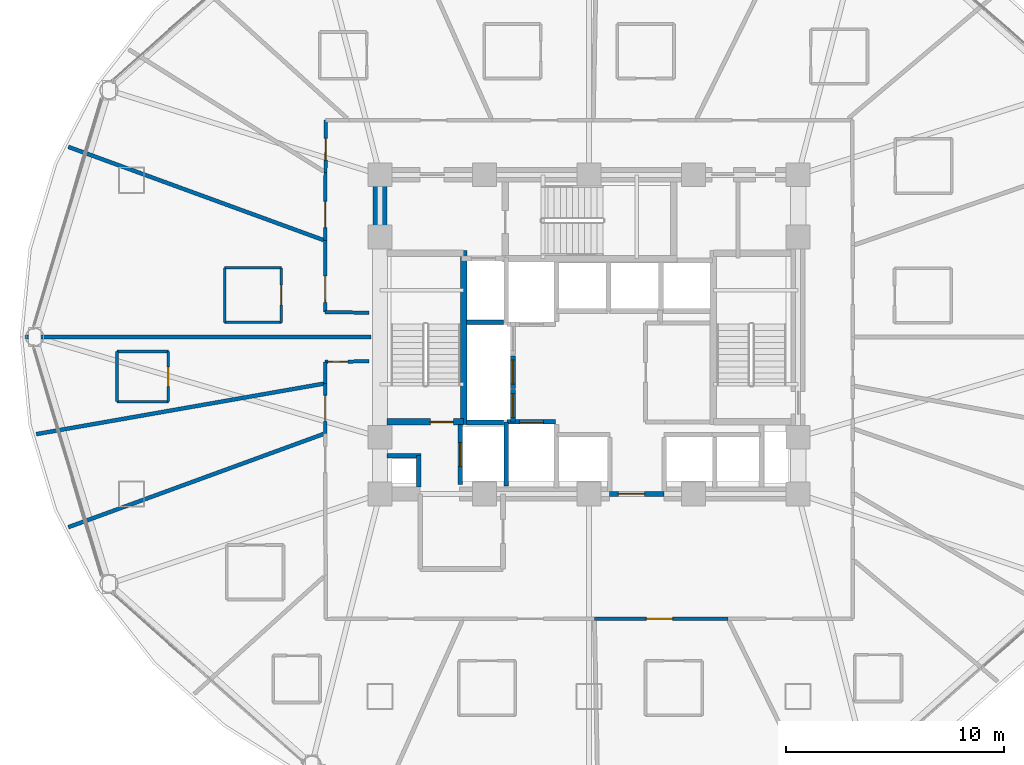
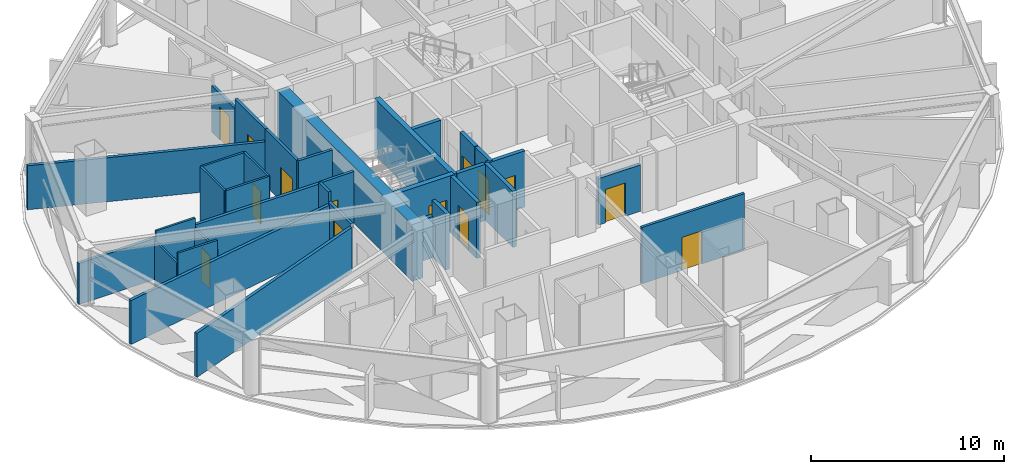
# One storey, part 24 of 31: 33 walls, 14 doors, 14 openings.
"""IFC4 building model written with IfcOpenShell, lengths in metres."""

import ifcopenshell
import ifcopenshell.guid

model = None  # the IFC model being written
_history = None  # IfcOwnerHistory: only IFC2X3 demands one
_inside = {}  # id of a spatial element -> (the spatial element, [elements in it])
_under = {}  # id of a project, library or spatial element -> (it, [spatial elements below it])
_declared = {}  # id of a project -> (the project, [libraries it declares])
_typed = {}  # id of a type object -> (the type object, [elements of that type])
_made_of = {}  # id of a material, layer set ... -> (it, [elements and type objects made of it])


def new_model(schema):
    """Start an empty IFC model of exactly this schema.

    Asked for "IFC4X3", IfcOpenShell would pick the latest addendum, in which some entities
    have other attributes; the version numbers below select the first issue.
    IFC2X3 requires an IfcOwnerHistory on every rooted entity: one is made here for all.
    """
    global model, _history
    if schema == "IFC4X3":
        model = ifcopenshell.file(schema_version=(4, 3, 0, 0))
    else:
        model = ifcopenshell.file(schema=schema)
    _inside.clear()
    _under.clear()
    _declared.clear()
    _typed.clear()
    _made_of.clear()
    _history = None
    if model.schema == "IFC2X3":
        org = make("IfcOrganization", Name="unknown")
        user = make(
            "IfcPersonAndOrganization",
            ThePerson=make("IfcPerson", FamilyName="unknown"),
            TheOrganization=org,
        )
        app = make(
            "IfcApplication",
            ApplicationDeveloper=org,
            Version="unknown",
            ApplicationFullName="unknown",
            ApplicationIdentifier="unknown",
        )
        _history = make(
            "IfcOwnerHistory",
            OwningUser=user,
            OwningApplication=app,
            ChangeAction="ADDED",
            CreationDate=0,
        )
    return model


def make(cls, **values):
    """One entity of the class cls with the attributes given. An attribute that is None is left unset."""
    return model.create_entity(
        cls, **{name: value for name, value in values.items() if value is not None}
    )


def rooted(cls, **values):
    """An entity with a GlobalId (a new one), such as an element, a storey or a relation."""
    return make(cls, GlobalId=ifcopenshell.guid.new(), OwnerHistory=_history, **values)


def si_unit(unit_type, name, prefix=None):
    """IfcSIUnit, for example si_unit("LENGTHUNIT", "METRE", prefix="MILLI")."""
    return make("IfcSIUnit", UnitType=unit_type, Prefix=prefix, Name=name)


def assignment(units):
    """IfcUnitAssignment: the units of a project."""
    return None if units is None else make("IfcUnitAssignment", Units=units)


def point(xyz):
    """IfcCartesianPoint."""
    return None if xyz is None else make("IfcCartesianPoint", Coordinates=xyz)


def direction(xyz):
    """IfcDirection."""
    return None if xyz is None else make("IfcDirection", DirectionRatios=xyz)


def frame(location, z_axis=None, x_axis=None):
    """IfcAxis2Placement3D, a coordinate frame: its origin and axes. An axis left out is left unset."""
    return make(
        "IfcAxis2Placement3D",
        Location=point(location),
        Axis=direction(z_axis),
        RefDirection=direction(x_axis),
    )


def frame_2d(location, x_axis=None):
    """IfcAxis2Placement2D, a coordinate frame in the plane: its origin and x axis."""
    return make(
        "IfcAxis2Placement2D", Location=point(location), RefDirection=direction(x_axis)
    )


def origin():
    """The frame at (0, 0, 0) with its axes left unset."""
    return frame((0.0, 0.0, 0.0))


def place(relative_to, where):
    """IfcLocalPlacement: puts the frame where relative to a parent placement (None: the world)."""
    return make(
        "IfcLocalPlacement", PlacementRelTo=relative_to, RelativePlacement=where
    )


def context(
    kind, dimensions, precision=None, world=None, true_north=None, identifier=None
):
    """IfcGeometricRepresentationContext, for example the 3D "Model" context."""
    return make(
        "IfcGeometricRepresentationContext",
        ContextIdentifier=identifier,
        ContextType=kind,
        CoordinateSpaceDimension=dimensions,
        Precision=precision,
        WorldCoordinateSystem=world,
        TrueNorth=true_north,
    )


def subcontext(parent, identifier, kind, view, scale=None):
    """IfcGeometricRepresentationSubContext, for example "Body" below "Model"."""
    return make(
        "IfcGeometricRepresentationSubContext",
        ContextIdentifier=identifier,
        ContextType=kind,
        ParentContext=parent,
        TargetScale=scale,
        TargetView=view,
    )


def project(units=None, contexts=None):
    """IfcProject with its units and contexts."""
    return rooted(
        "IfcProject",
        Name="project",
        RepresentationContexts=contexts,
        UnitsInContext=assignment(units),
    )


def spatial(cls, under=None, at=None, **own):
    """A site, building, storey or space (cls), placed at a placement, below another one or the project."""
    s = rooted(cls, ObjectPlacement=at, **own)
    if under is not None:
        _under.setdefault(under.id(), (under, []))[1].append(s)
    return s


def profile(cls, at=None, kind="AREA", **sizes):
    """A parametric profile (cls). Its sizes go by their IFC names, for example OverallWidth=200.0."""
    return make(cls, ProfileType=kind, Position=at, **sizes)


def rectangle(**sizes):
    """IfcRectangleProfileDef."""
    return profile("IfcRectangleProfileDef", **sizes)


def extrude(swept, where, along, depth):
    """IfcExtrudedAreaSolid: the profile swept, set in the frame where, extruded along a direction by depth."""
    return make(
        "IfcExtrudedAreaSolid",
        SweptArea=swept,
        Position=where,
        ExtrudedDirection=direction(along),
        Depth=depth,
    )


def shape(context_of_items, identifier, shape_type, items):
    """IfcShapeRepresentation: the items that make up one representation, for example the "Body"."""
    return make(
        "IfcShapeRepresentation",
        ContextOfItems=context_of_items,
        RepresentationIdentifier=identifier,
        RepresentationType=shape_type,
        Items=items,
    )


def material(Name=None, Category=None):
    """IfcMaterial."""
    return make("IfcMaterial", Name=Name, Category=Category)


def layer(
    of_material, thickness, ventilated=None, Name=None, Category=None, Priority=None
):
    """IfcMaterialLayer: one layer of a wall or slab, of a material (None: an air gap)."""
    return make(
        "IfcMaterialLayer",
        Material=of_material,
        LayerThickness=thickness,
        IsVentilated=ventilated,
        Name=Name,
        Category=Category,
        Priority=Priority,
    )


def layer_set(layers, Name=None):
    """IfcMaterialLayerSet."""
    return make("IfcMaterialLayerSet", MaterialLayers=layers, LayerSetName=Name)


def made_of(thing, what):
    """Note that an element or type object is made of a material, layer set ...; save() writes the relation."""
    if what is not None:
        _made_of.setdefault(what.id(), (what, []))[1].append(thing)
    return thing


def type_object(cls, material=None, **own):
    """A type object (cls), such as IfcWallType, which elements share."""
    return made_of(rooted(cls, **own), material)


def element(
    cls,
    number,
    at=None,
    inside=None,
    cuts=None,
    type_object=None,
    material=None,
    context=None,
    identifier="Body",
    shape_type=None,
    held_by="IfcProductDefinitionShape",
    body=None,
    shapes=None,
    **own,
):
    """One element of the class cls, such as IfcWall. Its Tag is "e" and its number.

    at: its placement. inside: the storey or other place that contains it. cuts: it is an
    opening in that element (IfcRelVoidsElement). A single representation is given by context,
    identifier, shape_type and body (its items); several are given by shapes. held_by: the class
    of the entity that holds the representations. save() writes the other relations.
    """
    e = rooted(cls, Tag="e%d" % number, ObjectPlacement=at, **own)
    if body is not None:
        shapes = [shape(context, identifier, shape_type, body)]
    if shapes is not None:
        e.Representation = make(held_by, Representations=shapes)
    if inside is not None:
        _inside.setdefault(inside.id(), (inside, []))[1].append(e)
    if cuts is not None:
        rooted(
            "IfcRelVoidsElement", RelatingBuildingElement=cuts, RelatedOpeningElement=e
        )
    if type_object is not None:
        _typed.setdefault(type_object.id(), (type_object, []))[1].append(e)
    return made_of(e, material)


def fill(opening, filler):
    """IfcRelFillsElement: the door or window that sits in an opening."""
    return rooted(
        "IfcRelFillsElement",
        RelatingOpeningElement=opening,
        RelatedBuildingElement=filler,
    )


def aggregate(whole, parts):
    """IfcRelAggregates: a whole, such as a stair, and the parts it consists of."""
    return rooted("IfcRelAggregates", RelatingObject=whole, RelatedObjects=parts)


def save(model, path):
    """Write the relations noted so far, then the file.

    IfcRelAggregates (storeys below a building ...), IfcRelContainedInSpatialStructure (elements
    in a storey), IfcRelDefinesByType, IfcRelAssociatesMaterial and IfcRelDeclares: one each for
    every whole, place, type object, material and project.
    """
    for whole, parts in _under.values():
        aggregate(whole, parts)
    for where, things in _inside.values():
        rooted(
            "IfcRelContainedInSpatialStructure",
            RelatedElements=things,
            RelatingStructure=where,
        )
    for kind, things in _typed.values():
        rooted("IfcRelDefinesByType", RelatedObjects=things, RelatingType=kind)
    for what, things in _made_of.values():
        rooted("IfcRelAssociatesMaterial", RelatedObjects=things, RelatingMaterial=what)
    for by, libraries in _declared.values():
        rooted("IfcRelDeclares", RelatingContext=by, RelatedDefinitions=libraries)
    model.write(path)


model = new_model("IFC4")

# Units and contexts
model_context = context("Model", 3, precision=1e-05, world=origin(), true_north=direction((0.0, 1.0)))
body_context = subcontext(model_context, "Body", "Model", "MODEL_VIEW")
ifc_project = project(units=[si_unit("LENGTHUNIT", "METRE"), si_unit("AREAUNIT", "SQUARE_METRE"), si_unit("VOLUMEUNIT", "CUBIC_METRE"), si_unit("PLANEANGLEUNIT", "RADIAN"), si_unit("MASSUNIT", "GRAM", prefix="KILO")], contexts=[model_context])

# Site, building, storey
site_placement = place(None, origin())
site = spatial("IfcSite", under=ifc_project, at=site_placement, CompositionType="ELEMENT")
building_placement = place(site_placement, origin())
building = spatial("IfcBuilding", under=site, at=building_placement, Name="Vantalir Tower", CompositionType="ELEMENT")
storey_placement = place(building_placement, frame((0.0, 0.0, 30.75)))
storey = spatial("IfcBuildingStorey", under=building, at=storey_placement, Name="L06", CompositionType="ELEMENT", Elevation=30.75)

# Walls
ifc_material_1 = material(Name="Moisture-resistant en-suite partition", Category="gypsum")
ifc_layer_1 = layer(ifc_material_1, 0.125)
ifc_layer_set_1 = layer_set([ifc_layer_1], Name="Moisture-resistant en-suite partition")
wall_type_1 = type_object("IfcWallType", Name="WL-BATH-125", PredefinedType="PARTITIONING", material=ifc_layer_set_1)
for number, where, z_axis, x_axis, name in (
    (1, (14.77490234375, 25.677978515625, 0.0), (0.0, 0.0, 1.0), (1.0, 0.0, 0.0), "L06 En-suite 09 South Wall"),
    (2, (14.77490234375, 28.177978515625, 0.0), (0.0, 0.0, 1.0), (1.0, 0.0, 0.0), "L06 En-suite 09 North Wall"),
):
    element("IfcWall", number, at=place(storey_placement, frame(where, z_axis=z_axis, x_axis=x_axis)), inside=storey, type_object=wall_type_1, Name=name, PredefinedType="PARTITIONING", context=body_context, shape_type="SweptSolid", body=[
        extrude(rectangle(XDim=2.60009765625, YDim=0.125, at=frame_2d((1.300048828125, 0.0))), origin(), (0.0, 0.0, 1.0), 3.550048828125),
    ])
wall_1_placement = place(storey_placement, frame((14.77490234375, 25.677978515625, 0.0), z_axis=(0.0, 0.0, 1.0), x_axis=(0.0, 1.0, 0.0)))
element("IfcWall", 3, at=wall_1_placement, inside=storey, type_object=wall_type_1, Name="L06 En-suite 09 West Wall", PredefinedType="PARTITIONING", context=body_context, shape_type="SweptSolid", body=[
    extrude(rectangle(XDim=2.5, YDim=0.125, at=frame_2d((1.25, 0.0))), origin(), (0.0, 0.0, 1.0), 3.550048828125),
])

# Wall, opening, door
wall_2_placement = place(storey_placement, frame((17.375, 25.677978515625, 0.0), z_axis=(0.0, 0.0, 1.0), x_axis=(0.0, 1.0, 0.0)))
wall_2 = element("IfcWall", 4, at=wall_2_placement, inside=storey, type_object=wall_type_1, Name="L06 En-suite 09 East Wall", PredefinedType="PARTITIONING", context=body_context, shape_type="SweptSolid", body=[
    extrude(rectangle(XDim=2.5, YDim=0.125, at=frame_2d((1.25, 0.0))), origin(), (0.0, 0.0, 1.0), 3.550048828125),
])
opening_1_placement = place(wall_2_placement, frame((0.800048828125, 0.0, 0.0)))
opening_1 = element("IfcOpeningElement", 5, at=opening_1_placement, cuts=wall_2, Name="Opening D-WC", PredefinedType="OPENING", context=body_context, shape_type="SweptSolid", body=[
    extrude(rectangle(XDim=0.89990234375, YDim=2.10009765625, at=frame_2d((0.449951171875, 1.050048828125))), frame((0.0, 0.072509765625, 0.0), z_axis=(0.0, -1.0, 0.0), x_axis=(1.0, 0.0, 0.0)), (0.0, 0.0, 1.0), 0.14501953125),
])
ifc_material_2 = material(Name="Moisture-resistant hardwood door", Category="wood")
door_type_1 = type_object("IfcDoorType", Name="DR-ENSUITE-900", OperationType="NOTDEFINED", PredefinedType="DOOR", material=ifc_material_2)
door_1_placement = place(opening_1_placement, origin())
door_1 = element("IfcDoor", 6, at=door_1_placement, inside=storey, type_object=door_type_1, Name="L06 En-suite 09 Door", OperationType="SINGLE_SWING_RIGHT", OverallHeight=2.10009765625, OverallWidth=0.89990234375, PredefinedType="DOOR", context=body_context, shape_type="SweptSolid", body=[
    extrude(rectangle(XDim=0.89990234375, YDim=2.10009765625, at=frame_2d((0.449951171875, 1.050048828125))), frame((0.0, 0.02490234375, 0.0), z_axis=(0.0, -1.0, 0.0), x_axis=(1.0, 0.0, 0.0)), (0.0, 0.0, 1.0), 0.050048828125),
])
fill(opening_1, door_1)

# Walls
for number, where, z_axis, x_axis, name in (
    (7, (9.83203125, 22.033935546875, 0.0), (0.0, 0.0, 1.0), (1.0, 0.0, 0.0), "L06 En-suite 10 South Wall"),
    (8, (9.83203125, 24.333984375, 0.0), (0.0, 0.0, 1.0), (1.0, 0.0, 0.0), "L06 En-suite 10 North Wall"),
):
    element("IfcWall", number, at=place(storey_placement, frame(where, z_axis=z_axis, x_axis=x_axis)), inside=storey, type_object=wall_type_1, Name=name, PredefinedType="PARTITIONING", context=body_context, shape_type="SweptSolid", body=[
        extrude(rectangle(XDim=2.349853515625, YDim=0.125, at=frame_2d((1.1748046875, 0.0))), origin(), (0.0, 0.0, 1.0), 3.550048828125),
    ])
wall_3_placement = place(storey_placement, frame((9.83203125, 22.033935546875, 0.0), z_axis=(0.0, 0.0, 1.0), x_axis=(0.0, 1.0, 0.0)))
element("IfcWall", 9, at=wall_3_placement, inside=storey, type_object=wall_type_1, Name="L06 En-suite 10 West Wall", PredefinedType="PARTITIONING", context=body_context, shape_type="SweptSolid", body=[
    extrude(rectangle(XDim=2.300048828125, YDim=0.125, at=frame_2d((1.14990234375, 0.0))), origin(), (0.0, 0.0, 1.0), 2.927978515625),
])

# Wall, opening, door
wall_4_placement = place(storey_placement, frame((12.181884765625, 22.033935546875, 0.0), z_axis=(0.0, 0.0, 1.0), x_axis=(0.0, 1.0, 0.0)))
wall_4 = element("IfcWall", 10, at=wall_4_placement, inside=storey, type_object=wall_type_1, Name="L06 En-suite 10 East Wall", PredefinedType="PARTITIONING", context=body_context, shape_type="SweptSolid", body=[
    extrude(rectangle(XDim=2.300048828125, YDim=0.125, at=frame_2d((1.14990234375, 0.0))), origin(), (0.0, 0.0, 1.0), 2.927978515625),
])
opening_2_placement = place(wall_4_placement, frame((0.699951171875, 0.0, 0.0)))
opening_2 = element("IfcOpeningElement", 11, at=opening_2_placement, cuts=wall_4, Name="Opening D-WC", PredefinedType="OPENING", context=body_context, shape_type="SweptSolid", body=[
    extrude(rectangle(XDim=0.89990234375, YDim=2.10009765625, at=frame_2d((0.449951171875, 1.050048828125))), frame((0.0, 0.072509765625, 0.0), z_axis=(0.0, -1.0, 0.0), x_axis=(1.0, 0.0, 0.0)), (0.0, 0.0, 1.0), 0.14501953125),
])
door_2_placement = place(opening_2_placement, origin())
door_2 = element("IfcDoor", 12, at=door_2_placement, inside=storey, type_object=door_type_1, Name="L06 En-suite 10 Door", OperationType="SINGLE_SWING_LEFT", OverallHeight=2.10009765625, OverallWidth=0.89990234375, PredefinedType="DOOR", context=body_context, shape_type="SweptSolid", body=[
    extrude(rectangle(XDim=0.89990234375, YDim=2.10009765625, at=frame_2d((0.449951171875, 1.050048828125))), frame((0.0, 0.02490234375, 0.0), z_axis=(0.0, -1.0, 0.0), x_axis=(1.0, 0.0, 0.0)), (0.0, 0.0, 1.0), 0.050048828125),
])
fill(opening_2, door_2)

# Walls
ifc_material_3 = material(Name="Concrete C60/75", Category="concrete")
ifc_layer_2 = layer(ifc_material_3, 0.64990234375)
ifc_layer_set_2 = layer_set([ifc_layer_2], Name="Concrete C60/75")
wall_type_2 = type_object("IfcWallType", Name="WL-CORE-650", PredefinedType="SHEAR", material=ifc_layer_set_2)
wall_5_placement = place(storey_placement, frame((21.89990234375, 18.125, 0.0), z_axis=(0.0, 0.0, 1.0), x_axis=(0.0, 1.0, 0.0)))
element("IfcWall", 13, at=wall_5_placement, inside=storey, type_object=wall_type_2, Name="L06 Core Shear Wall West", PredefinedType="SHEAR", context=body_context, shape_type="SweptSolid", body=[
    extrude(rectangle(XDim=14.0, YDim=0.64990234375, at=frame_2d((7.0, 0.0))), origin(), (0.0, 0.0, 1.0), 3.570068359375),
])
ifc_material_4 = material(Name="Fire-rated hotel corridor acoustic partition", Category="gypsum")
ifc_layer_3 = layer(ifc_material_4, 0.159912109375)
ifc_layer_set_3 = layer_set([ifc_layer_3], Name="Fire-rated hotel corridor acoustic partition")
wall_type_3 = type_object("IfcWallType", Name="WL-CORR-160", PredefinedType="PARTITIONING", material=ifc_layer_set_3)
wall_6_placement = place(storey_placement, frame((21.39501953125, 26.117919921875, 0.0), z_axis=(0.0, 0.0, 1.0), x_axis=(-0.999927639905, 0.012029752868, 0.0)))
element("IfcWall", 14, at=wall_6_placement, inside=storey, type_object=wall_type_3, Name="L06 Corridor Partition 01", PredefinedType="PARTITIONING", context=body_context, shape_type="SweptSolid", body=[
    extrude(rectangle(XDim=2.00927734375, YDim=0.159912109375, at=frame_2d((1.004638671875, 0.0))), origin(), (0.0, 0.0, 1.0), 3.550048828125),
])

# Wall, opening, door
wall_7_placement = place(storey_placement, frame((19.385986328125, 26.14208984375, 0.0), z_axis=(0.0, 0.0, 1.0), x_axis=(0.002158536095, 0.999997670358, 0.0)))
wall_7 = element("IfcWall", 15, at=wall_7_placement, inside=storey, type_object=wall_type_3, Name="L06 Corridor Partition 02", PredefinedType="PARTITIONING", context=body_context, shape_type="SweptSolid", body=[
    extrude(rectangle(XDim=3.280029296875, YDim=0.159912109375, at=frame_2d((1.64013671875, 0.0))), origin(), (0.0, 0.0, 1.0), 3.550048828125),
])
opening_3_placement = place(wall_7_placement, frame((0.452880859375, 0.0, 0.0)))
opening_3 = element("IfcOpeningElement", 16, at=opening_3_placement, cuts=wall_7, Name="Opening D-STE", PredefinedType="OPENING", context=body_context, shape_type="SweptSolid", body=[
    extrude(rectangle(XDim=1.199951171875, YDim=2.10009765625, at=frame_2d((0.60009765625, 1.050048828125))), frame((0.0, 0.08984375, 0.0), z_axis=(0.0, -1.0, 0.0), x_axis=(1.0, 0.0, 0.0)), (0.0, 0.0, 1.0), 0.179931640625),
])
ifc_material_5 = material(Name="Solid-core teak veneer suite entrance door", Category="wood")
door_type_2 = type_object("IfcDoorType", Name="DR-SUITE-ENTRY-1200", OperationType="NOTDEFINED", PredefinedType="DOOR", material=ifc_material_5)
door_3_placement = place(opening_3_placement, origin())
door_3 = element("IfcDoor", 17, at=door_3_placement, inside=storey, type_object=door_type_2, Name="L06 Executive Club Hotel Suite 09 Door", OperationType="SINGLE_SWING_LEFT", OverallHeight=2.10009765625, OverallWidth=1.199951171875, PredefinedType="DOOR", context=body_context, shape_type="SweptSolid", body=[
    extrude(rectangle(XDim=1.199951171875, YDim=2.10009765625, at=frame_2d((0.60009765625, 1.050048828125))), frame((0.0, 0.02490234375, 0.0), z_axis=(0.0, -1.0, 0.0), x_axis=(1.0, 0.0, 0.0)), (0.0, 0.0, 1.0), 0.050048828125),
])
fill(opening_3, door_3)

wall_8_placement = place(storey_placement, frame((19.39306640625, 29.422119140625, 0.0), z_axis=(0.0, 0.0, 1.0), x_axis=(0.002490458461, 0.999996898804, 0.0)))
wall_8 = element("IfcWall", 18, at=wall_8_placement, inside=storey, type_object=wall_type_3, Name="L06 Corridor Partition 03", PredefinedType="PARTITIONING", context=body_context, shape_type="SweptSolid", body=[
    extrude(rectangle(XDim=3.136962890625, YDim=0.159912109375, at=frame_2d((1.568359375, 0.0))), origin(), (0.0, 0.0, 1.0), 3.550048828125),
])
opening_4_placement = place(wall_8_placement, frame((0.60107421875, 0.0, 0.0)))
opening_4 = element("IfcOpeningElement", 19, at=opening_4_placement, cuts=wall_8, Name="Opening D-STE", PredefinedType="OPENING", context=body_context, shape_type="SweptSolid", body=[
    extrude(rectangle(XDim=1.199951171875, YDim=2.10009765625, at=frame_2d((0.60009765625, 1.050048828125))), frame((0.0, 0.08984375, 0.0), z_axis=(0.0, -1.0, 0.0), x_axis=(1.0, 0.0, 0.0)), (0.0, 0.0, 1.0), 0.179931640625),
])
door_4_placement = place(opening_4_placement, origin())
door_4 = element("IfcDoor", 20, at=door_4_placement, inside=storey, type_object=door_type_2, Name="L06 Club Reading Lounge 08 Door", OperationType="SINGLE_SWING_RIGHT", OverallHeight=2.10009765625, OverallWidth=1.199951171875, PredefinedType="DOOR", context=body_context, shape_type="SweptSolid", body=[
    extrude(rectangle(XDim=1.199951171875, YDim=2.10009765625, at=frame_2d((0.60009765625, 1.050048828125))), frame((0.0, 0.02490234375, 0.0), z_axis=(0.0, -1.0, 0.0), x_axis=(1.0, 0.0, 0.0)), (0.0, 0.0, 1.0), 0.050048828125),
])
fill(opening_4, door_4)

wall_9_placement = place(storey_placement, frame((19.40087890625, 32.55908203125, 0.0), z_axis=(0.0, 0.0, 1.0), x_axis=(0.002135443575, 0.999997719938, 0.0)))
wall_9 = element("IfcWall", 21, at=wall_9_placement, inside=storey, type_object=wall_type_3, Name="L06 Corridor Partition 04", PredefinedType="PARTITIONING", context=body_context, shape_type="SweptSolid", body=[
    extrude(rectangle(XDim=2.40087890625, YDim=0.159912109375, at=frame_2d((1.200439453125, 0.0))), origin(), (0.0, 0.0, 1.0), 2.927978515625),
])
opening_5_placement = place(wall_9_placement, frame((0.56494140625, 0.0, 0.0)))
opening_5 = element("IfcOpeningElement", 22, at=opening_5_placement, cuts=wall_9, Name="Opening D-GUEST", PredefinedType="OPENING", context=body_context, shape_type="SweptSolid", body=[
    extrude(rectangle(XDim=1.0, YDim=2.10009765625, at=frame_2d((0.5, 1.050048828125))), frame((0.0, 0.08984375, 0.0), z_axis=(0.0, -1.0, 0.0), x_axis=(1.0, 0.0, 0.0)), (0.0, 0.0, 1.0), 0.179931640625),
])
ifc_material_6 = material(Name="Solid-core teak veneer acoustic fire door", Category="wood")
door_type_3 = type_object("IfcDoorType", Name="DR-GUEST-ENTRY-1000", OperationType="NOTDEFINED", PredefinedType="DOOR", material=ifc_material_6)
door_5_placement = place(opening_5_placement, origin())
door_5 = element("IfcDoor", 23, at=door_5_placement, inside=storey, type_object=door_type_3, Name="L06 Executive Business Study 07 Door", OperationType="SINGLE_SWING_LEFT", OverallHeight=2.10009765625, OverallWidth=1.0, PredefinedType="DOOR", context=body_context, shape_type="SweptSolid", body=[
    extrude(rectangle(XDim=1.0, YDim=2.10009765625, at=frame_2d((0.5, 1.050048828125))), frame((0.0, 0.02490234375, 0.0), z_axis=(0.0, -1.0, 0.0), x_axis=(1.0, 0.0, 0.0)), (0.0, 0.0, 1.0), 0.050048828125),
])
fill(opening_5, door_5)

wall_10_placement = place(storey_placement, frame((37.8701171875, 12.06689453125, 0.0), z_axis=(0.0, 0.0, 1.0), x_axis=(-0.99999979631, -0.000638263792, 0.0)))
wall_10 = element("IfcWall", 24, at=wall_10_placement, inside=storey, type_object=wall_type_3, Name="L06 Corridor Partition 18", PredefinedType="PARTITIONING", context=body_context, shape_type="SweptSolid", body=[
    extrude(rectangle(XDim=6.1201171875, YDim=0.159912109375, at=frame_2d((3.06005859375, 0.0))), origin(), (0.0, 0.0, 1.0), 3.550048828125),
])
opening_6_placement = place(wall_10_placement, frame((2.533935546875, 0.0, 0.0)))
opening_6 = element("IfcOpeningElement", 25, at=opening_6_placement, cuts=wall_10, Name="Opening D-STE", PredefinedType="OPENING", context=body_context, shape_type="SweptSolid", body=[
    extrude(rectangle(XDim=1.199951171875, YDim=2.10009765625, at=frame_2d((0.60009765625, 1.050048828125))), frame((0.0, 0.08984375, 0.0), z_axis=(0.0, -1.0, 0.0), x_axis=(1.0, 0.0, 0.0)), (0.0, 0.0, 1.0), 0.179931640625),
])
door_6_placement = place(opening_6_placement, origin())
door_6 = element("IfcDoor", 26, at=door_6_placement, inside=storey, type_object=door_type_2, Name="L06 Corner Panorama Hotel Suite 15 Door", OperationType="SINGLE_SWING_LEFT", OverallHeight=2.10009765625, OverallWidth=1.199951171875, PredefinedType="DOOR", context=body_context, shape_type="SweptSolid", body=[
    extrude(rectangle(XDim=1.199951171875, YDim=2.10009765625, at=frame_2d((0.60009765625, 1.050048828125))), frame((0.0, 0.02490234375, 0.0), z_axis=(0.0, -1.0, 0.0), x_axis=(1.0, 0.0, 0.0)), (0.0, 0.0, 1.0), 0.050048828125),
])
fill(opening_6, door_6)

wall_11_placement = place(storey_placement, frame((19.39111328125, 20.577880859375, 0.0), z_axis=(0.0, 0.0, 1.0), x_axis=(-0.001809085046, 0.999998363604, 0.0)))
wall_11 = element("IfcWall", 27, at=wall_11_placement, inside=storey, type_object=wall_type_3, Name="L06 Corridor Partition 23", PredefinedType="PARTITIONING", context=body_context, shape_type="SweptSolid", body=[
    extrude(rectangle(XDim=2.294189453125, YDim=0.159912109375, at=frame_2d((1.14697265625, 0.0))), origin(), (0.0, 0.0, 1.0), 2.927978515625),
])
opening_7_placement = place(wall_11_placement, frame((0.547119140625, 0.0, 0.0)))
opening_7 = element("IfcOpeningElement", 28, at=opening_7_placement, cuts=wall_11, Name="Opening D-STE", PredefinedType="OPENING", context=body_context, shape_type="SweptSolid", body=[
    extrude(rectangle(XDim=1.199951171875, YDim=2.10009765625, at=frame_2d((0.60009765625, 1.050048828125))), frame((0.0, 0.08984375, 0.0), z_axis=(0.0, -1.0, 0.0), x_axis=(1.0, 0.0, 0.0)), (0.0, 0.0, 1.0), 0.179931640625),
])
door_7_placement = place(opening_7_placement, origin())
door_7 = element("IfcDoor", 29, at=door_7_placement, inside=storey, type_object=door_type_2, Name="L06 Club Reading Lounge 11 Door", OperationType="SINGLE_SWING_LEFT", OverallHeight=2.10009765625, OverallWidth=1.199951171875, PredefinedType="DOOR", context=body_context, shape_type="SweptSolid", body=[
    extrude(rectangle(XDim=1.199951171875, YDim=2.10009765625, at=frame_2d((0.60009765625, 1.050048828125))), frame((0.0, 0.02490234375, 0.0), z_axis=(0.0, -1.0, 0.0), x_axis=(1.0, 0.0, 0.0)), (0.0, 0.0, 1.0), 0.050048828125),
])
fill(opening_7, door_7)

# Wall
wall_12_placement = place(storey_placement, frame((19.386962890625, 22.8720703125, 0.0), z_axis=(0.0, 0.0, 1.0), x_axis=(-0.000990588915, 0.999999509367, 0.0)))
element("IfcWall", 30, at=wall_12_placement, inside=storey, type_object=wall_type_3, Name="L06 Corridor Partition 24", PredefinedType="PARTITIONING", context=body_context, shape_type="SweptSolid", body=[
    extrude(rectangle(XDim=0.98583984375, YDim=0.159912109375, at=frame_2d((0.492919921875, 0.0))), origin(), (0.0, 0.0, 1.0), 3.550048828125),
])

# Wall, opening, door
wall_13_placement = place(storey_placement, frame((19.385986328125, 23.85791015625, 0.0), z_axis=(0.0, 0.0, 1.0), x_axis=(0.999895455379, 0.014459540551, 0.0)))
wall_13 = element("IfcWall", 31, at=wall_13_placement, inside=storey, type_object=wall_type_3, Name="L06 Corridor Partition 25", PredefinedType="PARTITIONING", context=body_context, shape_type="SweptSolid", body=[
    extrude(rectangle(XDim=2.00927734375, YDim=0.159912109375, at=frame_2d((1.004638671875, 0.0))), origin(), (0.0, 0.0, 1.0), 3.550048828125),
])
opening_8_placement = place(wall_13_placement, frame((0.139892578125, 0.0, 0.0)))
opening_8 = element("IfcOpeningElement", 32, at=opening_8_placement, cuts=wall_13, Name="Opening D-WC", PredefinedType="OPENING", context=body_context, shape_type="SweptSolid", body=[
    extrude(rectangle(XDim=0.89990234375, YDim=2.10009765625, at=frame_2d((0.449951171875, 1.050048828125))), frame((0.0, 0.08984375, 0.0), z_axis=(0.0, -1.0, 0.0), x_axis=(1.0, 0.0, 0.0)), (0.0, 0.0, 1.0), 0.179931640625),
])
door_8_placement = place(opening_8_placement, frame((0.89990234375, 0.0, 0.0), z_axis=(0.0, 0.0, 1.0), x_axis=(-1.0, 0.0, 0.0)))
door_8 = element("IfcDoor", 33, at=door_8_placement, inside=storey, type_object=door_type_1, Name="L06 Twin Queen Hotel Room 10 Door", OperationType="SINGLE_SWING_RIGHT", OverallHeight=2.10009765625, OverallWidth=0.89990234375, PredefinedType="DOOR", context=body_context, shape_type="SweptSolid", body=[
    extrude(rectangle(XDim=0.89990234375, YDim=2.10009765625, at=frame_2d((0.449951171875, 1.050048828125))), frame((0.0, 0.02490234375, 0.0), z_axis=(0.0, -1.0, 0.0), x_axis=(1.0, 0.0, 0.0)), (0.0, 0.0, 1.0), 0.050048828125),
])
fill(opening_8, door_8)

ifc_material_7 = material(Name="Concrete blockwork with fireboard lining", Category="masonry")
ifc_layer_4 = layer(ifc_material_7, 0.219970703125)
ifc_layer_set_4 = layer_set([ifc_layer_4], Name="Concrete blockwork with fireboard lining")
wall_type_4 = type_object("IfcWallType", Name="WL-FFL-220", PredefinedType="PARTITIONING", material=ifc_layer_set_4)
wall_14_placement = place(storey_placement, frame((32.449951171875, 17.800048828125, 0.0), z_axis=(0.0, 0.0, 1.0), x_axis=(1.0, 0.0, 0.0)))
wall_14 = element("IfcWall", 34, at=wall_14_placement, inside=storey, type_object=wall_type_4, Name="L06 Passenger Lift Lobby South Wall", PredefinedType="PARTITIONING", context=body_context, shape_type="SweptSolid", body=[
    extrude(rectangle(XDim=2.5, YDim=0.219970703125, at=frame_2d((1.25, 0.0))), origin(), (0.0, 0.0, 1.0), 2.927978515625),
])
opening_9_placement = place(wall_14_placement, frame((0.39990234375, 0.0, 0.0)))
opening_9 = element("IfcOpeningElement", 35, at=opening_9_placement, cuts=wall_14, Name="Opening D-STE", PredefinedType="OPENING", context=body_context, shape_type="SweptSolid", body=[
    extrude(rectangle(XDim=1.199951171875, YDim=2.10009765625, at=frame_2d((0.60009765625, 1.050048828125))), frame((0.0, 0.119873046875, 0.0), z_axis=(0.0, -1.0, 0.0), x_axis=(1.0, 0.0, 0.0)), (0.0, 0.0, 1.0), 0.239990234375),
])
door_9_placement = place(opening_9_placement, origin())
door_9 = element("IfcDoor", 36, at=door_9_placement, inside=storey, type_object=door_type_2, Name="L06 Passenger Lift Lobby Concourse Door", OperationType="SINGLE_SWING_LEFT", OverallHeight=2.10009765625, OverallWidth=1.199951171875, PredefinedType="DOOR", context=body_context, shape_type="SweptSolid", body=[
    extrude(rectangle(XDim=1.199951171875, YDim=2.10009765625, at=frame_2d((0.60009765625, 1.050048828125))), frame((0.0, 0.02490234375, 0.0), z_axis=(0.0, -1.0, 0.0), x_axis=(1.0, 0.0, 0.0)), (0.0, 0.0, 1.0), 0.050048828125),
])
fill(opening_9, door_9)

# Walls
wall_15_placement = place(storey_placement, frame((23.679931640625, 18.125, 0.0), z_axis=(0.0, 0.0, 1.0), x_axis=(0.0, 1.0, 0.0)))
element("IfcWall", 37, at=wall_15_placement, inside=storey, type_object=wall_type_4, Name="L06 West MEP Riser Wall E", PredefinedType="PARTITIONING", context=body_context, shape_type="SweptSolid", body=[
    extrude(rectangle(XDim=1.425048828125, YDim=0.219970703125, at=frame_2d((0.71240234375, 0.0))), origin(), (0.0, 0.0, 1.0), 3.550048828125),
])
wall_16_placement = place(storey_placement, frame((22.22509765625, 19.550048828125, 0.0), z_axis=(0.0, 0.0, 1.0), x_axis=(1.0, 0.0, 0.0)))
element("IfcWall", 38, at=wall_16_placement, inside=storey, type_object=wall_type_4, Name="L06 West MEP Riser Wall N", PredefinedType="PARTITIONING", context=body_context, shape_type="SweptSolid", body=[
    extrude(rectangle(XDim=1.56494140625, YDim=0.219970703125, at=frame_2d((0.782470703125, 0.0))), origin(), (0.0, 0.0, 1.0), 2.594970703125),
])

# Wall, opening, door
wall_17_placement = place(storey_placement, frame((25.590087890625, 18.219970703125, 0.0), z_axis=(0.0, 0.0, 1.0), x_axis=(0.0, 1.0, 0.0)))
wall_17 = element("IfcWall", 39, at=wall_17_placement, inside=storey, type_object=wall_type_4, Name="L06 Lift FL1 Shaft Front Wall", PredefinedType="PARTITIONING", context=body_context, shape_type="SweptSolid", body=[
    extrude(rectangle(XDim=2.760009765625, YDim=0.219970703125, at=frame_2d((1.3798828125, 0.0))), origin(), (0.0, 0.0, 1.0), 3.550048828125),
])
opening_10_placement = place(wall_17_placement, frame((0.830078125, 0.0, 0.0)))
opening_10 = element("IfcOpeningElement", 40, at=opening_10_placement, cuts=wall_17, Name="Opening LD-FL1", PredefinedType="OPENING", context=body_context, shape_type="SweptSolid", body=[
    extrude(rectangle(XDim=1.10009765625, YDim=2.199951171875, at=frame_2d((0.550048828125, 1.10009765625))), frame((0.0, 0.119873046875, 0.0), z_axis=(0.0, -1.0, 0.0), x_axis=(1.0, 0.0, 0.0)), (0.0, 0.0, 1.0), 0.239990234375),
])
ifc_material_8 = material(Name="Brushed stainless-steel sliding lift landing door", Category="steel")
door_type_4 = type_object("IfcDoorType", Name="DR-LIFT-LANDING-1100", OperationType="DOUBLE_DOOR_SLIDING", PredefinedType="DOOR", material=ifc_material_8)
door_10_placement = place(opening_10_placement, origin())
door_10 = element("IfcDoor", 41, at=door_10_placement, inside=storey, type_object=door_type_4, Name="L06 Lift Landing Door FL1", OperationType="DOUBLE_DOOR_SLIDING", OverallHeight=2.199951171875, OverallWidth=1.10009765625, PredefinedType="DOOR", context=body_context, shape_type="SweptSolid", body=[
    extrude(rectangle(XDim=1.10009765625, YDim=2.199951171875, at=frame_2d((0.550048828125, 1.10009765625))), frame((0.0, 0.02490234375, 0.0), z_axis=(0.0, -1.0, 0.0), x_axis=(1.0, 0.0, 0.0)), (0.0, 0.0, 1.0), 0.050048828125),
])
fill(opening_10, door_10)

wall_18_placement = place(storey_placement, frame((27.739990234375, 21.110107421875, 0.0), z_axis=(0.0, 0.0, 1.0), x_axis=(1.0, 0.0, 0.0)))
wall_18 = element("IfcWall", 42, at=wall_18_placement, inside=storey, type_object=wall_type_4, Name="L06 Lift SV1 Shaft Front Wall", PredefinedType="PARTITIONING", context=body_context, shape_type="SweptSolid", body=[
    extrude(rectangle(XDim=2.219970703125, YDim=0.219970703125, at=frame_2d((1.10986328125, 0.0))), origin(), (0.0, 0.0, 1.0), 3.550048828125),
])
opening_11_placement = place(wall_18_placement, frame((0.56005859375, 0.0, 0.0)))
opening_11 = element("IfcOpeningElement", 43, at=opening_11_placement, cuts=wall_18, Name="Opening LD-SV1", PredefinedType="OPENING", context=body_context, shape_type="SweptSolid", body=[
    extrude(rectangle(XDim=1.10009765625, YDim=2.199951171875, at=frame_2d((0.550048828125, 1.10009765625))), frame((0.0, 0.119873046875, 0.0), z_axis=(0.0, -1.0, 0.0), x_axis=(1.0, 0.0, 0.0)), (0.0, 0.0, 1.0), 0.239990234375),
])
door_11_placement = place(opening_11_placement, origin())
door_11 = element("IfcDoor", 44, at=door_11_placement, inside=storey, type_object=door_type_4, Name="L06 Lift Landing Door SV1", OperationType="DOUBLE_DOOR_SLIDING", OverallHeight=2.199951171875, OverallWidth=1.10009765625, PredefinedType="DOOR", context=body_context, shape_type="SweptSolid", body=[
    extrude(rectangle(XDim=1.10009765625, YDim=2.199951171875, at=frame_2d((0.550048828125, 1.10009765625))), frame((0.0, 0.02490234375, 0.0), z_axis=(0.0, -1.0, 0.0), x_axis=(1.0, 0.0, 0.0)), (0.0, 0.0, 1.0), 0.050048828125),
])
fill(opening_11, door_11)

wall_19_placement = place(storey_placement, frame((28.010009765625, 21.10009765625, 0.0), z_axis=(0.0, 0.0, 1.0), x_axis=(0.0, 1.0, 0.0)))
wall_19 = element("IfcWall", 45, at=wall_19_placement, inside=storey, type_object=wall_type_4, Name="L06 Lift PL-L1 Shaft Front Wall", PredefinedType="PARTITIONING", context=body_context, shape_type="SweptSolid", body=[
    extrude(rectangle(XDim=1.5, YDim=0.219970703125, at=frame_2d((0.75, 0.0))), origin(), (0.0, 0.0, 1.0), 3.550048828125),
])
opening_12_placement = place(wall_19_placement, frame((0.199951171875, 0.0, 0.0)))
opening_12 = element("IfcOpeningElement", 46, at=opening_12_placement, cuts=wall_19, Name="Opening LD-PL-L1", PredefinedType="OPENING", context=body_context, shape_type="SweptSolid", body=[
    extrude(rectangle(XDim=1.10009765625, YDim=2.199951171875, at=frame_2d((0.550048828125, 1.10009765625))), frame((0.0, 0.119873046875, 0.0), z_axis=(0.0, -1.0, 0.0), x_axis=(1.0, 0.0, 0.0)), (0.0, 0.0, 1.0), 0.239990234375),
])
door_12_placement = place(opening_12_placement, frame((1.10009765625, 0.0, 0.0), z_axis=(0.0, 0.0, 1.0), x_axis=(-1.0, 0.0, 0.0)))
door_12 = element("IfcDoor", 47, at=door_12_placement, inside=storey, type_object=door_type_4, Name="L06 Lift Landing Door PL-L1", OperationType="DOUBLE_DOOR_SLIDING", OverallHeight=2.199951171875, OverallWidth=1.10009765625, PredefinedType="DOOR", context=body_context, shape_type="SweptSolid", body=[
    extrude(rectangle(XDim=1.10009765625, YDim=2.199951171875, at=frame_2d((0.550048828125, 1.10009765625))), frame((0.0, 0.02490234375, 0.0), z_axis=(0.0, -1.0, 0.0), x_axis=(1.0, 0.0, 0.0)), (0.0, 0.0, 1.0), 0.050048828125),
])
fill(opening_12, door_12)

wall_20_placement = place(storey_placement, frame((28.010009765625, 22.639892578125, 0.0), z_axis=(0.0, 0.0, 1.0), x_axis=(0.0, 1.0, 0.0)))
wall_20 = element("IfcWall", 48, at=wall_20_placement, inside=storey, type_object=wall_type_4, Name="L06 Lift PL-L2 Shaft Front Wall", PredefinedType="PARTITIONING", context=body_context, shape_type="SweptSolid", body=[
    extrude(rectangle(XDim=1.5, YDim=0.219970703125, at=frame_2d((0.75, 0.0))), origin(), (0.0, 0.0, 1.0), 3.550048828125),
])
opening_13_placement = place(wall_20_placement, frame((0.199951171875, 0.0, 0.0)))
opening_13 = element("IfcOpeningElement", 49, at=opening_13_placement, cuts=wall_20, Name="Opening LD-PL-L2", PredefinedType="OPENING", context=body_context, shape_type="SweptSolid", body=[
    extrude(rectangle(XDim=1.10009765625, YDim=2.199951171875, at=frame_2d((0.550048828125, 1.10009765625))), frame((0.0, 0.119873046875, 0.0), z_axis=(0.0, -1.0, 0.0), x_axis=(1.0, 0.0, 0.0)), (0.0, 0.0, 1.0), 0.239990234375),
])
door_13_placement = place(opening_13_placement, frame((1.10009765625, 0.0, 0.0), z_axis=(0.0, 0.0, 1.0), x_axis=(-1.0, 0.0, 0.0)))
door_13 = element("IfcDoor", 50, at=door_13_placement, inside=storey, type_object=door_type_4, Name="L06 Lift Landing Door PL-L2", OperationType="DOUBLE_DOOR_SLIDING", OverallHeight=2.199951171875, OverallWidth=1.10009765625, PredefinedType="DOOR", context=body_context, shape_type="SweptSolid", body=[
    extrude(rectangle(XDim=1.10009765625, YDim=2.199951171875, at=frame_2d((0.550048828125, 1.10009765625))), frame((0.0, 0.02490234375, 0.0), z_axis=(0.0, -1.0, 0.0), x_axis=(1.0, 0.0, 0.0)), (0.0, 0.0, 1.0), 0.050048828125),
])
fill(opening_13, door_13)

# Walls
wall_21_placement = place(storey_placement, frame((27.699951171875, 18.14990234375, 0.0), z_axis=(0.0, 0.0, 1.0), x_axis=(0.0, 1.0, 0.0)))
element("IfcWall", 51, at=wall_21_placement, inside=storey, type_object=wall_type_4, Name="L06 Fire Lift FL1 Dividing Wall", PredefinedType="PARTITIONING", context=body_context, shape_type="SweptSolid", body=[
    extrude(rectangle(XDim=2.9501953125, YDim=0.219970703125, at=frame_2d((1.47509765625, 0.0))), origin(), (0.0, 0.0, 1.0), 3.550048828125),
])
for number, where, z_axis, x_axis, name in (
    (52, (25.8798828125, 21.080078125, 0.0), (0.0, 0.0, 1.0), (1.0, 0.0, 0.0), "L06 Low-Rise Bank South Wall"),
    (53, (25.8798828125, 25.679931640625, 0.0), (0.0, 0.0, 1.0), (1.0, 0.0, 0.0), "L06 Low-Rise Bank North Wall"),
):
    element("IfcWall", number, at=place(storey_placement, frame(where, z_axis=z_axis, x_axis=x_axis)), inside=storey, type_object=wall_type_4, Name=name, PredefinedType="PARTITIONING", context=body_context, shape_type="SweptSolid", body=[
        extrude(rectangle(XDim=1.7001953125, YDim=0.219970703125, at=frame_2d((0.85009765625, 0.0))), origin(), (0.0, 0.0, 1.0), 3.550048828125),
    ])
ifc_material_9 = material(Name="Twin-stud acoustic fire-rated gypsum partition", Category="gypsum")
ifc_layer_5 = layer(ifc_material_9, 0.179931640625)
ifc_layer_set_5 = layer_set([ifc_layer_5], Name="Twin-stud acoustic fire-rated gypsum partition")
wall_type_5 = type_object("IfcWallType", Name="WL-GUEST-180", PredefinedType="PARTITIONING", material=ifc_layer_set_5)
wall_22_placement = place(storey_placement, frame((19.31005859375, 29.451904296875, 0.0), z_axis=(0.0, 0.0, 1.0), x_axis=(-0.939311872199, 0.343064435267, 0.0)))
element("IfcWall", 54, at=wall_22_placement, inside=storey, type_object=wall_type_5, Name="L06 Radial Suite Partition 09", PredefinedType="PARTITIONING", context=body_context, shape_type="SweptSolid", body=[
    extrude(rectangle(XDim=12.47314453125, YDim=0.179931640625, at=frame_2d((6.236572265625, 0.0))), origin(), (0.0, 0.0, 1.0), 2.77490234375),
])
wall_23_placement = place(storey_placement, frame((21.5, 25.0, 0.0), z_axis=(0.0, 0.0, 1.0), x_axis=(-1.0, 0.0, 0.0)))
element("IfcWall", 55, at=wall_23_placement, inside=storey, type_object=wall_type_5, Name="L06 Radial Suite Partition 10", PredefinedType="PARTITIONING", context=body_context, shape_type="SweptSolid", body=[
    extrude(rectangle(XDim=15.89892578125, YDim=0.179931640625, at=frame_2d((7.949462890625, 0.0))), origin(), (0.0, 0.0, 1.0), 2.594970703125),
])
wall_24_placement = place(storey_placement, frame((19.31005859375, 22.85791015625, 0.0), z_axis=(0.0, 0.0, 1.0), x_axis=(-0.984915491916, -0.173036047641, 0.0)))
element("IfcWall", 56, at=wall_24_placement, inside=storey, type_object=wall_type_5, Name="L06 Radial Suite Partition 11", PredefinedType="PARTITIONING", context=body_context, shape_type="SweptSolid", body=[
    extrude(rectangle(XDim=13.384033203125, YDim=0.179931640625, at=frame_2d((6.69189453125, 0.0))), origin(), (0.0, 0.0, 1.0), 2.77490234375),
])
wall_25_placement = place(storey_placement, frame((19.31005859375, 20.548095703125, 0.0), z_axis=(0.0, 0.0, 1.0), x_axis=(-0.939311872199, -0.343064435267, 0.0)))
element("IfcWall", 57, at=wall_25_placement, inside=storey, type_object=wall_type_5, Name="L06 Radial Suite Partition 12", PredefinedType="PARTITIONING", context=body_context, shape_type="SweptSolid", body=[
    extrude(rectangle(XDim=12.47314453125, YDim=0.179931640625, at=frame_2d((6.236572265625, 0.0))), origin(), (0.0, 0.0, 1.0), 2.77490234375),
])

# Wall, opening, door
ifc_material_10 = material(Name="Concrete C50/60", Category="concrete")
ifc_layer_6 = layer(ifc_material_10, 0.300048828125)
ifc_layer_set_6 = layer_set([ifc_layer_6], Name="Concrete C50/60")
wall_type_6 = type_object("IfcWallType", Name="WL-STAIR-300", PredefinedType="SHEAR", material=ifc_layer_set_6)
wall_26_placement = place(storey_placement, frame((22.22509765625, 21.10009765625, 0.0), z_axis=(0.0, 0.0, 1.0), x_axis=(1.0, 0.0, 0.0)))
wall_26 = element("IfcWall", 58, at=wall_26_placement, inside=storey, type_object=wall_type_6, Name="L06 Stair ST1 South Wall", PredefinedType="SHEAR", context=body_context, shape_type="SweptSolid", body=[
    extrude(rectangle(XDim=3.514892578125, YDim=0.300048828125, at=frame_2d((1.75732421875, 0.0))), origin(), (0.0, 0.0, 1.0), 3.570068359375),
])
opening_14_placement = place(wall_26_placement, frame((1.9951171875, 0.0, 0.0)))
opening_14 = element("IfcOpeningElement", 59, at=opening_14_placement, cuts=wall_26, Name="Opening D-ST", PredefinedType="OPENING", context=body_context, shape_type="SweptSolid", body=[
    extrude(rectangle(XDim=1.050048828125, YDim=2.10009765625, at=frame_2d((0.52490234375, 1.050048828125))), frame((0.0, 0.159912109375, 0.0), z_axis=(0.0, -1.0, 0.0), x_axis=(1.0, 0.0, 0.0)), (0.0, 0.0, 1.0), 0.320068359375),
])
ifc_material_11 = material(Name="Fire-rated steel door leaf", Category="steel")
door_type_5 = type_object("IfcDoorType", Name="DR-FIRE-STAIR-1050", OperationType="NOTDEFINED", PredefinedType="DOOR", material=ifc_material_11)
door_14_placement = place(opening_14_placement, origin())
door_14 = element("IfcDoor", 60, at=door_14_placement, inside=storey, type_object=door_type_5, Name="L06 Exit Stair ST1 Fire Door", OperationType="SINGLE_SWING_LEFT", OverallHeight=2.10009765625, OverallWidth=1.050048828125, PredefinedType="DOOR", context=body_context, shape_type="SweptSolid", body=[
    extrude(rectangle(XDim=1.050048828125, YDim=2.10009765625, at=frame_2d((0.52490234375, 1.050048828125))), frame((0.0, 0.02490234375, 0.0), z_axis=(0.0, -1.0, 0.0), x_axis=(1.0, 0.0, 0.0)), (0.0, 0.0, 1.0), 0.050048828125),
])
fill(opening_14, door_14)

# Wall
wall_27_placement = place(storey_placement, frame((25.739990234375, 20.97998046875, 0.0), z_axis=(0.0, 0.0, 1.0), x_axis=(0.0, 1.0, 0.0)))
element("IfcWall", 61, at=wall_27_placement, inside=storey, type_object=wall_type_6, Name="L06 Stair ST1 East Wall", PredefinedType="SHEAR", context=body_context, shape_type="SweptSolid", body=[
    extrude(rectangle(XDim=7.989990234375, YDim=0.300048828125, at=frame_2d((3.9951171875, 0.0))), origin(), (0.0, 0.0, 1.0), 3.570068359375),
])

save(model, "model.ifc")
